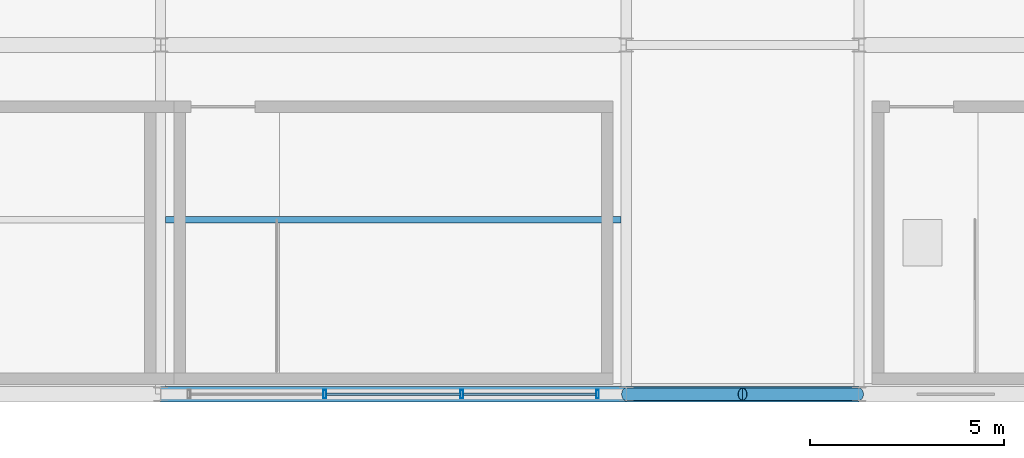
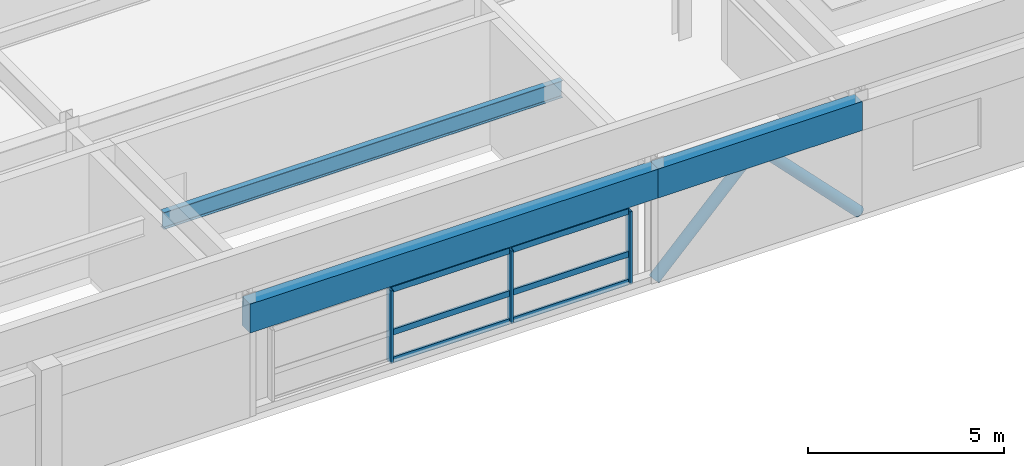
# One storey, part 21 of 108: 11 members, 3 beams, 1 element without a shape of its own.
"""IFC4 building model written with IfcOpenShell, lengths in metres."""

from ifc_helpers import new_model, si_unit, direction, frame, origin, origin_2d, place, context, subcontext, project, spatial, rectangle, hollow_rectangle, hollow_circle, i_section, extrude, material, material_profile, profile_set, type_object, element, aggregate, save


model = new_model("IFC4")

# Units and contexts
model_context = context("Model", 3, precision=1e-05, world=origin(), true_north=direction((0.0, 1.0)))
body_context = subcontext(model_context, "Body", "Model", "MODEL_VIEW")
ifc_project = project(units=[si_unit("LENGTHUNIT", "METRE"), si_unit("AREAUNIT", "SQUARE_METRE"), si_unit("VOLUMEUNIT", "CUBIC_METRE"), si_unit("PLANEANGLEUNIT", "RADIAN"), si_unit("MASSUNIT", "GRAM", prefix="KILO")], contexts=[model_context])

# Site, building, storey
site_placement = place(None, origin())
site = spatial("IfcSite", under=ifc_project, at=site_placement, CompositionType="ELEMENT")
building_placement = place(site_placement, origin())
building = spatial("IfcBuilding", under=site, at=building_placement, Name="Kaldorvane Square Convention Centre", CompositionType="ELEMENT")
storey_placement = place(building_placement, frame((0.0, 0.0, 23.399993896484375)))
storey = spatial("IfcBuildingStorey", under=building, at=storey_placement, Name="L04", CompositionType="ELEMENT", Elevation=23.399993896484375)

# Beams
ifc_material_1 = material(Name="Steel ASTM A992 Gr. 50", Category="steel")
ifc_material_profile_1 = material_profile(ifc_material_1, i_section(OverallWidth=0.1658935546875, OverallDepth=0.5290985107421875, WebThickness=0.00970458984375, FlangeThickness=0.0135955810546875, FilletRadius=0.0126953125, at=origin_2d()), Name="W21X50")
ifc_profile_set_1 = profile_set([ifc_material_profile_1], Name="Steel ASTM A992 Gr. 50")
beam_type_1 = type_object("IfcBeamType", Name="BM-JS-W21X50", PredefinedType="JOIST", material=ifc_profile_set_1)
beam_1_placement = place(storey_placement, frame((12.13330078125, 4.5, 3.26141357421875), z_axis=(1.0, 0.0, 0.0), x_axis=(0.0, 1.0, 0.0)))
element("IfcBeam", 1, at=beam_1_placement, inside=storey, type_object=beam_type_1, Name="Secondary Floor Joist (L04)", PredefinedType="JOIST", context=body_context, shape_type="SweptSolid", body=[
    extrude(i_section(OverallWidth=0.1658935546875, OverallDepth=0.5290985107421875, WebThickness=0.00970458984375, FlangeThickness=0.0135955810546875, FilletRadius=0.0126953125, at=origin_2d()), origin(), (0.0, 0.0, 1.0), 11.7333984375),
])
ifc_material_2 = material(Name="Concrete f'c = 42 MPa (Normalweight)", Category="concrete")
ifc_material_profile_2 = material_profile(ifc_material_2, rectangle(XDim=0.399993896484375, YDim=0.899993896484375, at=origin_2d()), Name="RCSP900X400")
ifc_profile_set_2 = profile_set([ifc_material_profile_2], Name="Concrete f'c = 42 MPa (Normalweight)")
beam_type_2 = type_object("IfcBeamType", Name="BM-SP-RC900", PredefinedType="SPANDREL", material=ifc_profile_set_2)
beam_2_placement = place(storey_placement, frame((12.0, 0.0, 3.0760040283203125), z_axis=(1.0, 0.0, 0.0), x_axis=(0.0, 1.0, 0.0)))
element("IfcBeam", 2, at=beam_2_placement, inside=storey, type_object=beam_type_2, Name="Perimeter Spandrel (L04)", PredefinedType="SPANDREL", context=body_context, shape_type="SweptSolid", body=[
    extrude(rectangle(XDim=0.399993896484375, YDim=0.899993896484375, at=origin_2d()), origin(), (0.0, 0.0, 1.0), 12.0),
])
beam_3_placement = place(storey_placement, frame((24.0, 0.0, 3.0760040283203125), z_axis=(1.0, 0.0, 0.0), x_axis=(0.0, 1.0, 0.0)))
element("IfcBeam", 3, at=beam_3_placement, inside=storey, type_object=beam_type_2, Name="Perimeter Spandrel (L04)", PredefinedType="SPANDREL", context=body_context, shape_type="SweptSolid", body=[
    extrude(rectangle(XDim=0.399993896484375, YDim=0.899993896484375, at=origin_2d()), origin(), (0.0, 0.0, 1.0), 6.0),
])

# Curtain wall, members
ifc_material_3 = material(Name="Anodized Aluminum and Low-E Insulated Glazing", Category="aluminium")
curtain_wall_type = type_object("IfcCurtainWallType", Name="CW-UNI-P42-12", PredefinedType="USERDEFINED", material=ifc_material_3)
curtain_wall_placement = place(storey_placement, origin())
curtain_wall = element("IfcCurtainWall", 4, at=curtain_wall_placement, inside=storey, type_object=curtain_wall_type, Name="Curtain Wall CW-05 (L04)", ObjectType="UNITISED GLAZING", PredefinedType="USERDEFINED")
ifc_material_profile_3 = material_profile(ifc_material_3, hollow_rectangle(XDim=0.0749969482421875, YDim=0.220001220703125, WallThickness=0.003997802734375, at=origin_2d()), Name="CWM-220X75")
ifc_profile_set_3 = profile_set([ifc_material_profile_3], Name="Anodized Aluminum and Low-E Insulated Glazing")
member_type_1 = type_object("IfcMemberType", Name="CW-MUL-220", PredefinedType="MULLION", material=ifc_profile_set_3)
member_1_placement = place(storey_placement, frame((16.23333740234375, 0.0, 0.1500091552734375), z_axis=(0.0, 0.0, 1.0), x_axis=(1.0, 0.0, 0.0)))
member_1 = element("IfcMember", 5, at=member_1_placement, type_object=member_type_1, Name="CW-05 mullion 2", PredefinedType="MULLION", context=body_context, shape_type="SweptSolid", body=[
    extrude(hollow_rectangle(XDim=0.0749969482421875, YDim=0.220001220703125, WallThickness=0.003997802734375, at=origin_2d()), origin(), (0.0, 0.0, 1.0), 2.2599945068359375),
])
member_2_placement = place(storey_placement, frame((19.76666259765625, 0.0, 0.1500091552734375), z_axis=(0.0, 0.0, 1.0), x_axis=(1.0, 0.0, 0.0)))
member_2 = element("IfcMember", 6, at=member_2_placement, type_object=member_type_1, Name="CW-05 mullion 3", PredefinedType="MULLION", context=body_context, shape_type="SweptSolid", body=[
    extrude(hollow_rectangle(XDim=0.0749969482421875, YDim=0.220001220703125, WallThickness=0.003997802734375, at=origin_2d()), origin(), (0.0, 0.0, 1.0), 2.2599945068359375),
])
member_3_placement = place(storey_placement, frame((23.262496948242188, 0.0, 0.1500091552734375), z_axis=(0.0, 0.0, 1.0), x_axis=(1.0, 0.0, 0.0)))
member_3 = element("IfcMember", 7, at=member_3_placement, type_object=member_type_1, Name="CW-05 mullion 4", PredefinedType="MULLION", context=body_context, shape_type="SweptSolid", body=[
    extrude(hollow_rectangle(XDim=0.0749969482421875, YDim=0.220001220703125, WallThickness=0.003997802734375, at=origin_2d()), origin(), (0.0, 0.0, 1.0), 2.2599945068359375),
])
ifc_material_profile_4 = material_profile(ifc_material_3, hollow_rectangle(XDim=0.06500244140625, YDim=0.17999267578125, WallThickness=0.0034942626953125, at=origin_2d()), Name="CWT-180X65")
ifc_profile_set_4 = profile_set([ifc_material_profile_4], Name="Anodized Aluminum and Low-E Insulated Glazing")
member_type_2 = type_object("IfcMemberType", Name="CW-TRN-180", PredefinedType="USERDEFINED", material=ifc_profile_set_4)
member_4_placement = place(storey_placement, frame((16.270828247070312, 0.0, 0.1825103759765625), z_axis=(1.0, 0.0, 0.0), x_axis=(0.0, 1.0, 0.0)))
member_4 = element("IfcMember", 8, at=member_4_placement, type_object=member_type_2, Name="CW-05 transom 2.1", ObjectType="TRANSOM", PredefinedType="USERDEFINED", context=body_context, shape_type="SweptSolid", body=[
    extrude(hollow_rectangle(XDim=0.06500244140625, YDim=0.17999267578125, WallThickness=0.0034942626953125, at=origin_2d()), origin(), (0.0, 0.0, 1.0), 3.458343505859375),
])
member_5_placement = place(storey_placement, frame((16.270828247070312, 0.0, 1.0500030517578125), z_axis=(1.0, 0.0, 0.0), x_axis=(0.0, 1.0, 0.0)))
member_5 = element("IfcMember", 9, at=member_5_placement, type_object=member_type_2, Name="CW-05 transom 2.2", ObjectType="TRANSOM", PredefinedType="USERDEFINED", context=body_context, shape_type="SweptSolid", body=[
    extrude(hollow_rectangle(XDim=0.06500244140625, YDim=0.17999267578125, WallThickness=0.0034942626953125, at=origin_2d()), origin(), (0.0, 0.0, 1.0), 3.458343505859375),
])
member_6_placement = place(storey_placement, frame((16.270828247070312, 0.0, 2.37750244140625), z_axis=(1.0, 0.0, 0.0), x_axis=(0.0, 1.0, 0.0)))
member_6 = element("IfcMember", 10, at=member_6_placement, type_object=member_type_2, Name="CW-05 transom 2.3", ObjectType="TRANSOM", PredefinedType="USERDEFINED", context=body_context, shape_type="SweptSolid", body=[
    extrude(hollow_rectangle(XDim=0.06500244140625, YDim=0.17999267578125, WallThickness=0.0034942626953125, at=origin_2d()), origin(), (0.0, 0.0, 1.0), 3.458343505859375),
])
member_7_placement = place(storey_placement, frame((19.804168701171875, 0.0, 0.1825103759765625), z_axis=(1.0, 0.0, 0.0), x_axis=(0.0, 1.0, 0.0)))
member_7 = element("IfcMember", 11, at=member_7_placement, type_object=member_type_2, Name="CW-05 transom 3.1", ObjectType="TRANSOM", PredefinedType="USERDEFINED", context=body_context, shape_type="SweptSolid", body=[
    extrude(hollow_rectangle(XDim=0.06500244140625, YDim=0.17999267578125, WallThickness=0.0034942626953125, at=origin_2d()), origin(), (0.0, 0.0, 1.0), 3.42083740234375),
])
member_8_placement = place(storey_placement, frame((19.804168701171875, 0.0, 1.0500030517578125), z_axis=(1.0, 0.0, 0.0), x_axis=(0.0, 1.0, 0.0)))
member_8 = element("IfcMember", 12, at=member_8_placement, type_object=member_type_2, Name="CW-05 transom 3.2", ObjectType="TRANSOM", PredefinedType="USERDEFINED", context=body_context, shape_type="SweptSolid", body=[
    extrude(hollow_rectangle(XDim=0.06500244140625, YDim=0.17999267578125, WallThickness=0.0034942626953125, at=origin_2d()), origin(), (0.0, 0.0, 1.0), 3.42083740234375),
])
member_9_placement = place(storey_placement, frame((19.804168701171875, 0.0, 2.37750244140625), z_axis=(1.0, 0.0, 0.0), x_axis=(0.0, 1.0, 0.0)))
member_9 = element("IfcMember", 13, at=member_9_placement, type_object=member_type_2, Name="CW-05 transom 3.3", ObjectType="TRANSOM", PredefinedType="USERDEFINED", context=body_context, shape_type="SweptSolid", body=[
    extrude(hollow_rectangle(XDim=0.06500244140625, YDim=0.17999267578125, WallThickness=0.0034942626953125, at=origin_2d()), origin(), (0.0, 0.0, 1.0), 3.42083740234375),
])
aggregate(curtain_wall, [member_1, member_2, member_3, member_4, member_5, member_6, member_7, member_8, member_9])

# Members
ifc_material_4 = material(Name="Steel ASTM A500 Gr. C", Category="steel")
ifc_material_profile_5 = material_profile(ifc_material_4, hollow_circle(Radius=0.161956787109375, WallThickness=0.0117950439453125, at=origin_2d()), Name="HSS12.750X0.500")
ifc_profile_set_5 = profile_set([ifc_material_profile_5], Name="Steel ASTM A500 Gr. C")
member_type_3 = type_object("IfcMemberType", Name="MB-BR-CHS12", PredefinedType="BRACE", material=ifc_profile_set_5)
for number, where, z_axis, x_axis, name in (
    (14, (24.0, 0.0, 0.0), (0.698207041781, 0.0, 0.71589589104), (0.0, 1.0, 0.0), "Seismic Chevron Brace Y0-B1A (L04)"),
    (15, (30.0, 0.0, 0.0), (-0.698207041781, 0.0, 0.71589589104), (0.0, -1.0, 0.0), "Seismic Chevron Brace Y0-B1B (L04)"),
):
    element("IfcMember", number, at=place(storey_placement, frame(where, z_axis=z_axis, x_axis=x_axis)), inside=storey, type_object=member_type_3, Name=name, PredefinedType="BRACE", context=body_context, shape_type="SweptSolid", body=[
        extrude(hollow_circle(Radius=0.161956787109375, WallThickness=0.0117950439453125, at=origin_2d()), origin(), (0.0, 0.0, 1.0), 4.296722412109375),
    ])

save(model, "model.ifc")
